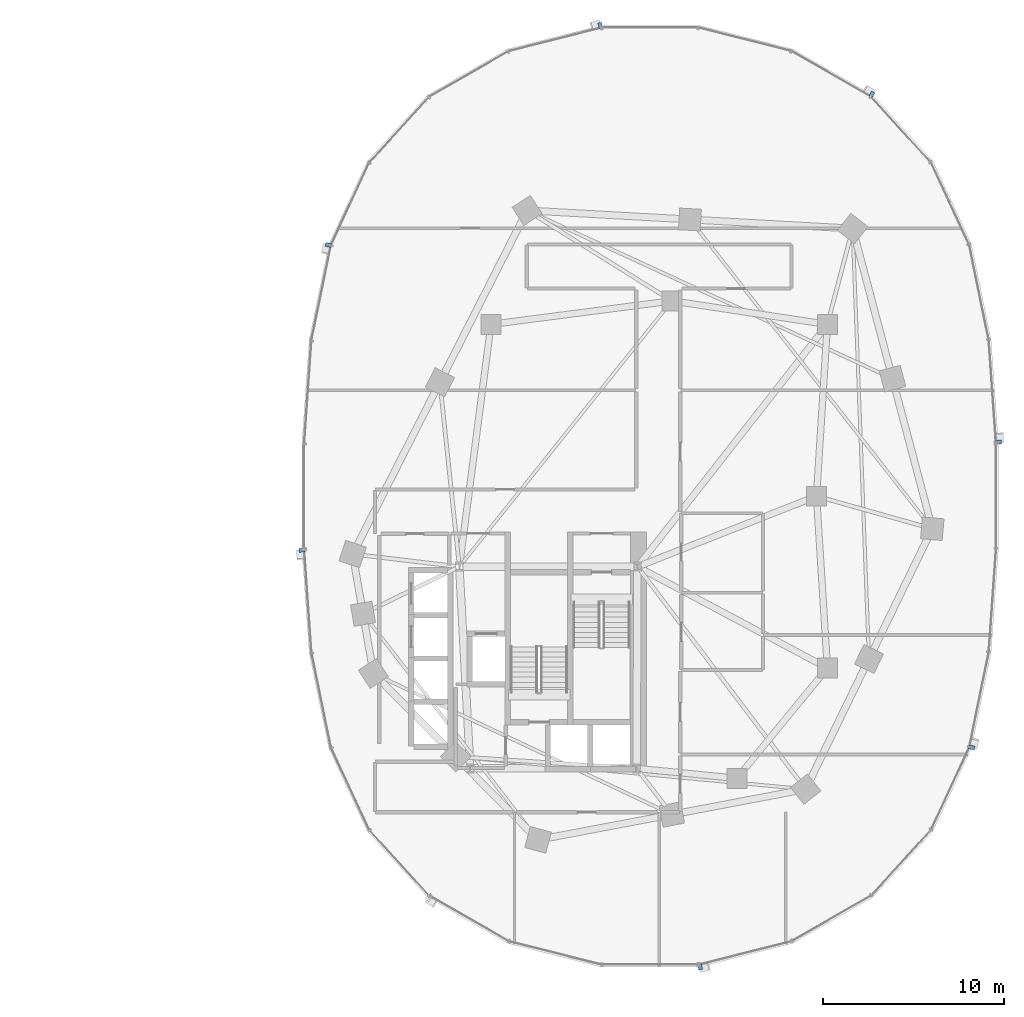
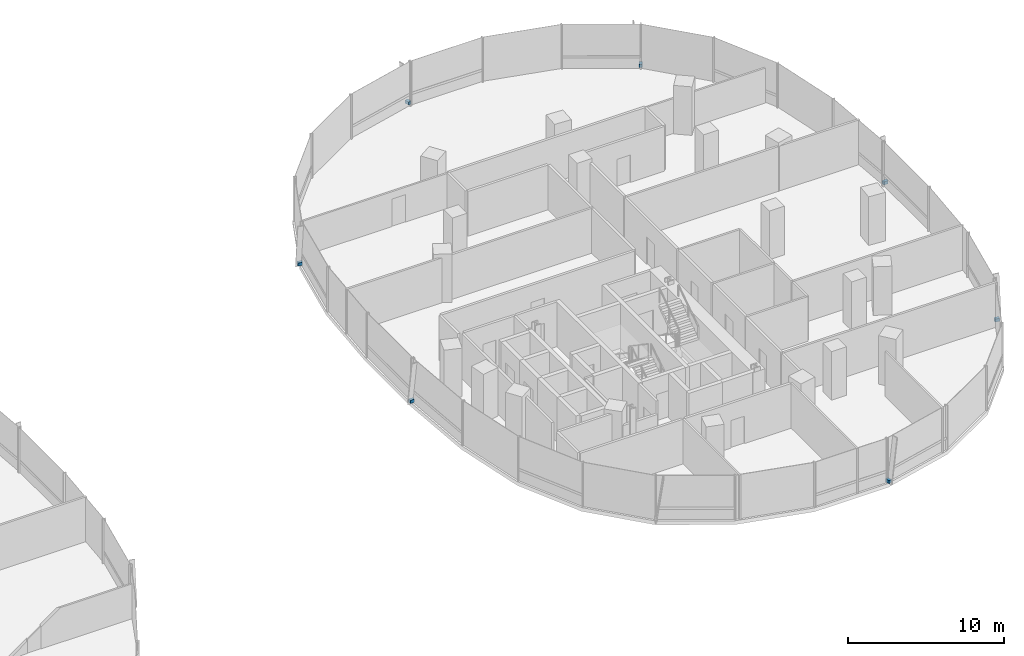
# One storey, part 16 of 21: 7 discrete accessories.
"""IFC4 building model written with IfcOpenShell, lengths in metres."""

from ifc_helpers import new_model, si_unit, direction, frame, origin, origin_2d, place, context, subcontext, project, spatial, rectangle, extrude, material, type_object, element, save


model = new_model("IFC4")

# Units and contexts
model_context = context("Model", 3, precision=1e-05, world=origin(), true_north=direction((0.0, 1.0)))
body_context = subcontext(model_context, "Body", "Model", "MODEL_VIEW")
ifc_project = project(units=[si_unit("LENGTHUNIT", "METRE"), si_unit("AREAUNIT", "SQUARE_METRE"), si_unit("VOLUMEUNIT", "CUBIC_METRE"), si_unit("PLANEANGLEUNIT", "RADIAN"), si_unit("MASSUNIT", "GRAM", prefix="KILO"), si_unit("THERMODYNAMICTEMPERATUREUNIT", "KELVIN"), si_unit("POWERUNIT", "WATT")], contexts=[model_context])

# Site, building, storey
site_placement = place(None, origin())
site = spatial("IfcSite", under=ifc_project, at=site_placement, CompositionType="ELEMENT")
building_placement = place(site_placement, origin())
building = spatial("IfcBuilding", under=site, at=building_placement, Name="Cundina Bronze Exchange", CompositionType="ELEMENT")
storey_placement = place(building_placement, frame((0.0, 0.0, 62.0)))
storey = spatial("IfcBuildingStorey", under=building, at=storey_placement, Name="L15", CompositionType="ELEMENT", Elevation=62.0)

# Discrete accessories
ifc_material = material(Name="Anodised Bronze Aluminium 6063-T6", Category="aluminium")
discrete_accessory_type = type_object("IfcDiscreteAccessoryType", Name="ACC-BRK-FIN", PredefinedType="BRACKET", material=ifc_material)
for number, where, z_axis, x_axis, name in (
    (1, (51.264404296875, 2.986083984375, 0.10009765625), (0.0, 0.0, 1.0), (-0.070278787473, 0.997527389113, 0.0), "L15 Fin Support Bracket 1"),
    (2, (44.259521484375, 22.21875, 0.10009765625), (0.0, 0.0, 1.0), (-0.867105478933, 0.498124571171, 0.0), "L15 Fin Support Bracket 5"),
    (3, (29.23974609375, 26.03173828125, 0.10009765625), (0.0, 0.0, 1.0), (-0.969488149345, -0.245138182011, 0.0), "L15 Fin Support Bracket 1"),
    (4, (14.211669921875, 13.8896484375, 0.10009765625), (0.0, 0.0, 1.0), (-0.201419845156, -0.979505000486, 0.0), "L15 Fin Support Bracket 5"),
    (5, (12.735595703125, -2.986083984375, 0.10009765625), (0.0, 0.0, 1.0), (0.070278787473, -0.997527389113, 0.0), "L15 Fin Support Bracket 1"),
    (6, (34.76025390625, -26.03173828125, 0.10009765625), (0.0, 0.0, 1.0), (0.969488149345, 0.245138182011, 0.0), "L15 Fin Support Bracket 1"),
    (7, (49.788330078125, -13.8896484375, 0.10009765625), (0.0, 0.0, 1.0), (0.201419845156, 0.979505000486, 0.0), "L15 Fin Support Bracket 5"),
):
    element("IfcDiscreteAccessory", number, at=place(storey_placement, frame(where, z_axis=z_axis, x_axis=x_axis)), inside=storey, type_object=discrete_accessory_type, Name=name, PredefinedType="BRACKET", context=body_context, shape_type="SweptSolid", body=[
        extrude(rectangle(XDim=0.219970703125, YDim=0.320068359375, at=origin_2d()), origin(), (0.0, 0.0, 1.0), 0.239990234375),
    ])

save(model, "model.ifc")
